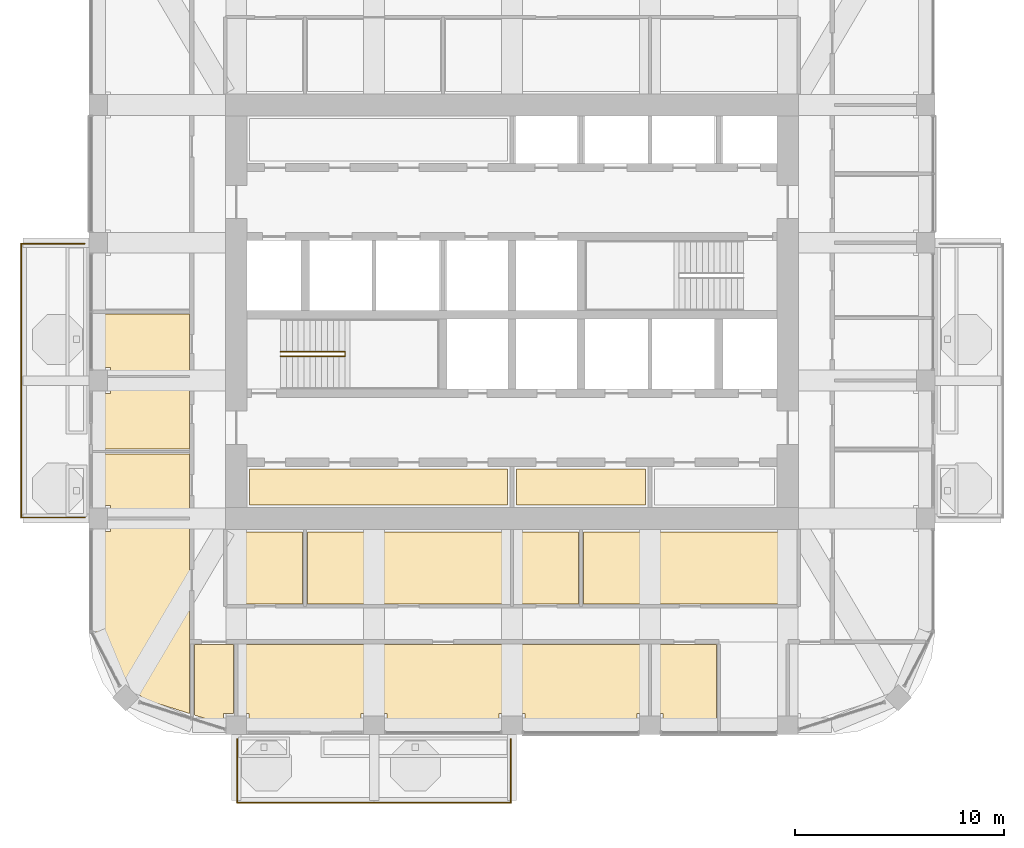
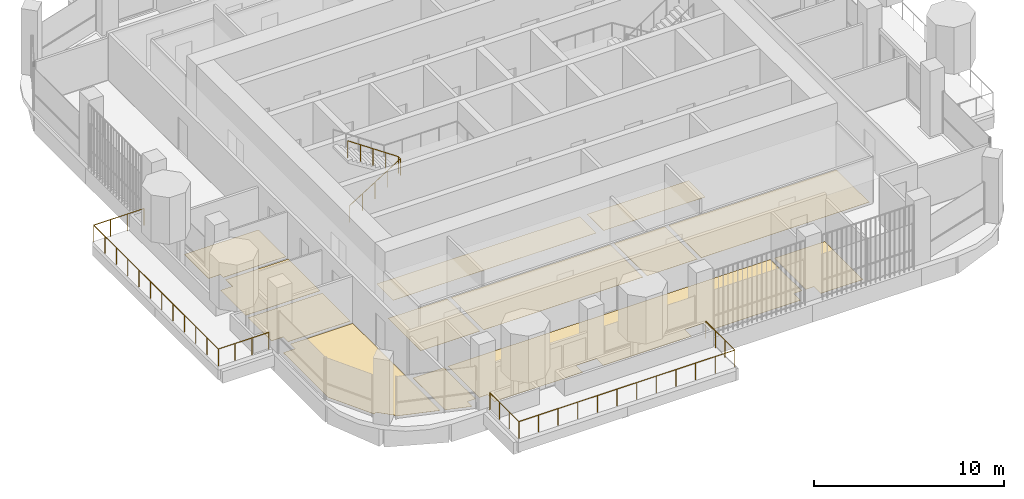
# One storey, part 16 of 20: 13 coverings, 3 railings.
"""IFC4 building model written with IfcOpenShell, lengths in metres."""

from ifc_helpers import new_model, si_unit, direction, frame, origin, place, context, subcontext, project, spatial, polyline, outline, extrude, material, layer, layer_set, type_object, element, save


model = new_model("IFC4")

# Units and contexts
model_context = context("Model", 3, precision=1e-05, world=origin(), true_north=direction((0.0, 1.0)))
body_context = subcontext(model_context, "Body", "Model", "MODEL_VIEW")
ifc_project = project(units=[si_unit("LENGTHUNIT", "METRE"), si_unit("AREAUNIT", "SQUARE_METRE"), si_unit("VOLUMEUNIT", "CUBIC_METRE"), si_unit("PLANEANGLEUNIT", "RADIAN"), si_unit("MASSUNIT", "GRAM", prefix="KILO")], contexts=[model_context])

# Site, building, storey
site_placement = place(None, origin())
site = spatial("IfcSite", under=ifc_project, at=site_placement, CompositionType="ELEMENT")
building_placement = place(site_placement, origin())
building = spatial("IfcBuilding", under=site, at=building_placement, Name="Cobogo Forest Laboratory Tower", CompositionType="ELEMENT")
storey_placement = place(building_placement, frame((0.0, 0.0, 279.60009765625)))
storey = spatial("IfcBuildingStorey", under=building, at=storey_placement, Name="L64", CompositionType="ELEMENT", Elevation=279.60009765625)

# Railings
ifc_material_1 = material(Name="Laminated glass balustrade", Category="glass")
railing_type_1 = type_object("IfcRailingType", Name="BG1 glass balustrade 1100", PredefinedType="GUARDRAIL", material=ifc_material_1)
railing_1_placement = place(storey_placement, frame((13.25, 2.64990234375, 0.0)))
element("IfcRailing", 1, at=railing_1_placement, inside=storey, type_object=railing_type_1, Name="Balcony balustrade BAL-S1 L64", PredefinedType="GUARDRAIL", context=body_context, shape_type="SweptSolid", body=[
    extrude(outline(polyline([(0.022216796875, 0.00927734375), (0.00927734375, 0.022216796875), (-0.00927734375, 0.022216796875), (-0.022216796875, 0.00927734375), (-0.022216796875, -0.00927734375), (-0.00927734375, -0.022216796875), (0.00927734375, -0.022216796875), (0.022216796875, -0.00927734375), (0.022216796875, 0.00927734375)])), frame((0.0, 0.0, 1.077880859375), z_axis=(0.0, -1.0, 0.0), x_axis=(1.0, 0.0, 0.0)), (0.0, 0.0, 1.0), 3.0498046875),
    extrude(outline(polyline([(0.022216796875, 0.00927734375), (0.00927734375, 0.022216796875), (-0.00927734375, 0.022216796875), (-0.022216796875, 0.00927734375), (-0.022216796875, -0.00927734375), (-0.00927734375, -0.022216796875), (0.00927734375, -0.022216796875), (0.022216796875, -0.00927734375), (0.022216796875, 0.00927734375)])), frame((0.0, -3.0498046875, 1.077880859375), z_axis=(1.0, 0.0, 0.0), x_axis=(0.0, 1.0, 0.0)), (0.0, 0.0, 1.0), 13.10009765625),
    extrude(outline(polyline([(0.022216796875, 0.00927734375), (0.00927734375, 0.022216796875), (-0.00927734375, 0.022216796875), (-0.022216796875, 0.00927734375), (-0.022216796875, -0.00927734375), (-0.00927734375, -0.022216796875), (0.00927734375, -0.022216796875), (0.022216796875, -0.00927734375), (0.022216796875, 0.00927734375)])), frame((13.10009765625, -3.0498046875, 1.077880859375), z_axis=(0.0, 1.0, 0.0), x_axis=(-1.0, 0.0, 0.0)), (0.0, 0.0, 1.0), 3.0498046875),
    extrude(outline(polyline([(0.019287109375, 0.008056640625), (0.008056640625, 0.019287109375), (-0.008056640625, 0.019287109375), (-0.019287109375, 0.008056640625), (-0.019287109375, -0.008056640625), (-0.008056640625, -0.019287109375), (0.008056640625, -0.019287109375), (0.019287109375, -0.008056640625), (0.019287109375, 0.008056640625)])), origin(), (0.0, 0.0, 1.0), 1.077880859375),
    extrude(outline(polyline([(0.019287109375, 0.008056640625), (0.008056640625, 0.019287109375), (-0.008056640625, 0.019287109375), (-0.019287109375, 0.008056640625), (-0.019287109375, -0.008056640625), (-0.008056640625, -0.019287109375), (0.008056640625, -0.019287109375), (0.019287109375, -0.008056640625), (0.019287109375, 0.008056640625)])), frame((0.0, -1.0166015625, 0.0)), (0.0, 0.0, 1.0), 1.077880859375),
    extrude(outline(polyline([(0.019287109375, 0.008056640625), (0.008056640625, 0.019287109375), (-0.008056640625, 0.019287109375), (-0.019287109375, 0.008056640625), (-0.019287109375, -0.008056640625), (-0.008056640625, -0.019287109375), (0.008056640625, -0.019287109375), (0.019287109375, -0.008056640625), (0.019287109375, 0.008056640625)])), frame((0.0, -2.033203125, 0.0)), (0.0, 0.0, 1.0), 1.077880859375),
    extrude(outline(polyline([(0.019287109375, 0.008056640625), (0.008056640625, 0.019287109375), (-0.008056640625, 0.019287109375), (-0.019287109375, 0.008056640625), (-0.019287109375, -0.008056640625), (-0.008056640625, -0.019287109375), (0.008056640625, -0.019287109375), (0.019287109375, -0.008056640625), (0.019287109375, 0.008056640625)])), frame((0.0, -3.0498046875, 0.0)), (0.0, 0.0, 1.0), 1.077880859375),
    extrude(outline(polyline([(0.019287109375, 0.008056640625), (0.008056640625, 0.019287109375), (-0.008056640625, 0.019287109375), (-0.019287109375, 0.008056640625), (-0.019287109375, -0.008056640625), (-0.008056640625, -0.019287109375), (0.008056640625, -0.019287109375), (0.019287109375, -0.008056640625), (0.019287109375, 0.008056640625)])), frame((1.19091796875, -3.0498046875, 0.0)), (0.0, 0.0, 1.0), 1.077880859375),
    extrude(outline(polyline([(0.019287109375, 0.008056640625), (0.008056640625, 0.019287109375), (-0.008056640625, 0.019287109375), (-0.019287109375, 0.008056640625), (-0.019287109375, -0.008056640625), (-0.008056640625, -0.019287109375), (0.008056640625, -0.019287109375), (0.019287109375, -0.008056640625), (0.019287109375, 0.008056640625)])), frame((2.3818359375, -3.0498046875, 0.0)), (0.0, 0.0, 1.0), 1.077880859375),
    extrude(outline(polyline([(0.019287109375, 0.008056640625), (0.008056640625, 0.019287109375), (-0.008056640625, 0.019287109375), (-0.019287109375, 0.008056640625), (-0.019287109375, -0.008056640625), (-0.008056640625, -0.019287109375), (0.008056640625, -0.019287109375), (0.019287109375, -0.008056640625), (0.019287109375, 0.008056640625)])), frame((3.57275390625, -3.0498046875, 0.0)), (0.0, 0.0, 1.0), 1.077880859375),
    extrude(outline(polyline([(0.019287109375, 0.008056640625), (0.008056640625, 0.019287109375), (-0.008056640625, 0.019287109375), (-0.019287109375, 0.008056640625), (-0.019287109375, -0.008056640625), (-0.008056640625, -0.019287109375), (0.008056640625, -0.019287109375), (0.019287109375, -0.008056640625), (0.019287109375, 0.008056640625)])), frame((4.763671875, -3.0498046875, 0.0)), (0.0, 0.0, 1.0), 1.077880859375),
    extrude(outline(polyline([(0.019287109375, 0.008056640625), (0.008056640625, 0.019287109375), (-0.008056640625, 0.019287109375), (-0.019287109375, 0.008056640625), (-0.019287109375, -0.008056640625), (-0.008056640625, -0.019287109375), (0.008056640625, -0.019287109375), (0.019287109375, -0.008056640625), (0.019287109375, 0.008056640625)])), frame((5.95458984375, -3.0498046875, 0.0)), (0.0, 0.0, 1.0), 1.077880859375),
    extrude(outline(polyline([(0.019287109375, 0.008056640625), (0.008056640625, 0.019287109375), (-0.008056640625, 0.019287109375), (-0.019287109375, 0.008056640625), (-0.019287109375, -0.008056640625), (-0.008056640625, -0.019287109375), (0.008056640625, -0.019287109375), (0.019287109375, -0.008056640625), (0.019287109375, 0.008056640625)])), frame((7.1455078125, -3.0498046875, 0.0)), (0.0, 0.0, 1.0), 1.077880859375),
    extrude(outline(polyline([(0.019287109375, 0.008056640625), (0.008056640625, 0.019287109375), (-0.008056640625, 0.019287109375), (-0.019287109375, 0.008056640625), (-0.019287109375, -0.008056640625), (-0.008056640625, -0.019287109375), (0.008056640625, -0.019287109375), (0.019287109375, -0.008056640625), (0.019287109375, 0.008056640625)])), frame((8.33642578125, -3.0498046875, 0.0)), (0.0, 0.0, 1.0), 1.077880859375),
    extrude(outline(polyline([(0.019287109375, 0.008056640625), (0.008056640625, 0.019287109375), (-0.008056640625, 0.019287109375), (-0.019287109375, 0.008056640625), (-0.019287109375, -0.008056640625), (-0.008056640625, -0.019287109375), (0.008056640625, -0.019287109375), (0.019287109375, -0.008056640625), (0.019287109375, 0.008056640625)])), frame((9.52734375, -3.0498046875, 0.0)), (0.0, 0.0, 1.0), 1.077880859375),
    extrude(outline(polyline([(0.019287109375, 0.008056640625), (0.008056640625, 0.019287109375), (-0.008056640625, 0.019287109375), (-0.019287109375, 0.008056640625), (-0.019287109375, -0.008056640625), (-0.008056640625, -0.019287109375), (0.008056640625, -0.019287109375), (0.019287109375, -0.008056640625), (0.019287109375, 0.008056640625)])), frame((10.71826171875, -3.0498046875, 0.0)), (0.0, 0.0, 1.0), 1.077880859375),
    extrude(outline(polyline([(0.019287109375, 0.008056640625), (0.008056640625, 0.019287109375), (-0.008056640625, 0.019287109375), (-0.019287109375, 0.008056640625), (-0.019287109375, -0.008056640625), (-0.008056640625, -0.019287109375), (0.008056640625, -0.019287109375), (0.019287109375, -0.008056640625), (0.019287109375, 0.008056640625)])), frame((11.9091796875, -3.0498046875, 0.0)), (0.0, 0.0, 1.0), 1.077880859375),
    extrude(outline(polyline([(0.019287109375, 0.008056640625), (0.008056640625, 0.019287109375), (-0.008056640625, 0.019287109375), (-0.019287109375, 0.008056640625), (-0.019287109375, -0.008056640625), (-0.008056640625, -0.019287109375), (0.008056640625, -0.019287109375), (0.019287109375, -0.008056640625), (0.019287109375, 0.008056640625)])), frame((13.10009765625, -3.0498046875, 0.0)), (0.0, 0.0, 1.0), 1.077880859375),
    extrude(outline(polyline([(0.019287109375, 0.008056640625), (0.008056640625, 0.019287109375), (-0.008056640625, 0.019287109375), (-0.019287109375, 0.008056640625), (-0.019287109375, -0.008056640625), (-0.008056640625, -0.019287109375), (0.008056640625, -0.019287109375), (0.019287109375, -0.008056640625), (0.019287109375, 0.008056640625)])), frame((13.10009765625, -2.033203125, 0.0)), (0.0, 0.0, 1.0), 1.077880859375),
    extrude(outline(polyline([(0.019287109375, 0.008056640625), (0.008056640625, 0.019287109375), (-0.008056640625, 0.019287109375), (-0.019287109375, 0.008056640625), (-0.019287109375, -0.008056640625), (-0.008056640625, -0.019287109375), (0.008056640625, -0.019287109375), (0.019287109375, -0.008056640625), (0.019287109375, 0.008056640625)])), frame((13.10009765625, -1.0166015625, 0.0)), (0.0, 0.0, 1.0), 1.077880859375),
    extrude(outline(polyline([(0.019287109375, 0.008056640625), (0.008056640625, 0.019287109375), (-0.008056640625, 0.019287109375), (-0.019287109375, 0.008056640625), (-0.019287109375, -0.008056640625), (-0.008056640625, -0.019287109375), (0.008056640625, -0.019287109375), (0.019287109375, -0.008056640625), (0.019287109375, 0.008056640625)])), frame((13.10009765625, 0.0, 0.0)), (0.0, 0.0, 1.0), 1.077880859375),
])
railing_2_placement = place(storey_placement, frame((5.949951171875, 13.25, 0.0)))
element("IfcRailing", 2, at=railing_2_placement, inside=storey, type_object=railing_type_1, Name="Balcony balustrade BAL-W1 L64", PredefinedType="GUARDRAIL", context=body_context, shape_type="SweptSolid", body=[
    extrude(outline(polyline([(0.022216796875, 0.00927734375), (0.00927734375, 0.022216796875), (-0.00927734375, 0.022216796875), (-0.022216796875, 0.00927734375), (-0.022216796875, -0.00927734375), (-0.00927734375, -0.022216796875), (0.00927734375, -0.022216796875), (0.022216796875, -0.00927734375), (0.022216796875, 0.00927734375)])), frame((0.0, 0.0, 1.077880859375), z_axis=(-1.0, 0.0, 0.0), x_axis=(0.0, -1.0, 0.0)), (0.0, 0.0, 1.0), 3.050048828125),
    extrude(outline(polyline([(0.022216796875, 0.00927734375), (0.00927734375, 0.022216796875), (-0.00927734375, 0.022216796875), (-0.022216796875, 0.00927734375), (-0.022216796875, -0.00927734375), (-0.00927734375, -0.022216796875), (0.00927734375, -0.022216796875), (0.022216796875, -0.00927734375), (0.022216796875, 0.00927734375)])), frame((-3.050048828125, 0.0, 1.077880859375), z_axis=(0.0, 1.0, 0.0), x_axis=(-1.0, 0.0, 0.0)), (0.0, 0.0, 1.0), 13.10009765625),
    extrude(outline(polyline([(0.022216796875, 0.00927734375), (0.00927734375, 0.022216796875), (-0.00927734375, 0.022216796875), (-0.022216796875, 0.00927734375), (-0.022216796875, -0.00927734375), (-0.00927734375, -0.022216796875), (0.00927734375, -0.022216796875), (0.022216796875, -0.00927734375), (0.022216796875, 0.00927734375)])), frame((-3.050048828125, 13.10009765625, 1.077880859375), z_axis=(1.0, 0.0, 0.0), x_axis=(0.0, 1.0, 0.0)), (0.0, 0.0, 1.0), 3.050048828125),
    extrude(outline(polyline([(0.019287109375, 0.008056640625), (0.008056640625, 0.019287109375), (-0.008056640625, 0.019287109375), (-0.019287109375, 0.008056640625), (-0.019287109375, -0.008056640625), (-0.008056640625, -0.019287109375), (0.008056640625, -0.019287109375), (0.019287109375, -0.008056640625), (0.019287109375, 0.008056640625)])), origin(), (0.0, 0.0, 1.0), 1.077880859375),
    extrude(outline(polyline([(0.019287109375, 0.008056640625), (0.008056640625, 0.019287109375), (-0.008056640625, 0.019287109375), (-0.019287109375, 0.008056640625), (-0.019287109375, -0.008056640625), (-0.008056640625, -0.019287109375), (0.008056640625, -0.019287109375), (0.019287109375, -0.008056640625), (0.019287109375, 0.008056640625)])), frame((-1.0166015625, 0.0, 0.0)), (0.0, 0.0, 1.0), 1.077880859375),
    extrude(outline(polyline([(0.019287109375, 0.008056640625), (0.008056640625, 0.019287109375), (-0.008056640625, 0.019287109375), (-0.019287109375, 0.008056640625), (-0.019287109375, -0.008056640625), (-0.008056640625, -0.019287109375), (0.008056640625, -0.019287109375), (0.019287109375, -0.008056640625), (0.019287109375, 0.008056640625)])), frame((-2.033447265625, 0.0, 0.0)), (0.0, 0.0, 1.0), 1.077880859375),
    extrude(outline(polyline([(0.019287109375, 0.008056640625), (0.008056640625, 0.019287109375), (-0.008056640625, 0.019287109375), (-0.019287109375, 0.008056640625), (-0.019287109375, -0.008056640625), (-0.008056640625, -0.019287109375), (0.008056640625, -0.019287109375), (0.019287109375, -0.008056640625), (0.019287109375, 0.008056640625)])), frame((-3.050048828125, 0.0, 0.0)), (0.0, 0.0, 1.0), 1.077880859375),
    extrude(outline(polyline([(0.019287109375, 0.008056640625), (0.008056640625, 0.019287109375), (-0.008056640625, 0.019287109375), (-0.019287109375, 0.008056640625), (-0.019287109375, -0.008056640625), (-0.008056640625, -0.019287109375), (0.008056640625, -0.019287109375), (0.019287109375, -0.008056640625), (0.019287109375, 0.008056640625)])), frame((-3.050048828125, 1.19091796875, 0.0)), (0.0, 0.0, 1.0), 1.077880859375),
    extrude(outline(polyline([(0.019287109375, 0.008056640625), (0.008056640625, 0.019287109375), (-0.008056640625, 0.019287109375), (-0.019287109375, 0.008056640625), (-0.019287109375, -0.008056640625), (-0.008056640625, -0.019287109375), (0.008056640625, -0.019287109375), (0.019287109375, -0.008056640625), (0.019287109375, 0.008056640625)])), frame((-3.050048828125, 2.3818359375, 0.0)), (0.0, 0.0, 1.0), 1.077880859375),
    extrude(outline(polyline([(0.019287109375, 0.008056640625), (0.008056640625, 0.019287109375), (-0.008056640625, 0.019287109375), (-0.019287109375, 0.008056640625), (-0.019287109375, -0.008056640625), (-0.008056640625, -0.019287109375), (0.008056640625, -0.019287109375), (0.019287109375, -0.008056640625), (0.019287109375, 0.008056640625)])), frame((-3.050048828125, 3.57275390625, 0.0)), (0.0, 0.0, 1.0), 1.077880859375),
    extrude(outline(polyline([(0.019287109375, 0.008056640625), (0.008056640625, 0.019287109375), (-0.008056640625, 0.019287109375), (-0.019287109375, 0.008056640625), (-0.019287109375, -0.008056640625), (-0.008056640625, -0.019287109375), (0.008056640625, -0.019287109375), (0.019287109375, -0.008056640625), (0.019287109375, 0.008056640625)])), frame((-3.050048828125, 4.763671875, 0.0)), (0.0, 0.0, 1.0), 1.077880859375),
    extrude(outline(polyline([(0.019287109375, 0.008056640625), (0.008056640625, 0.019287109375), (-0.008056640625, 0.019287109375), (-0.019287109375, 0.008056640625), (-0.019287109375, -0.008056640625), (-0.008056640625, -0.019287109375), (0.008056640625, -0.019287109375), (0.019287109375, -0.008056640625), (0.019287109375, 0.008056640625)])), frame((-3.050048828125, 5.95458984375, 0.0)), (0.0, 0.0, 1.0), 1.077880859375),
    extrude(outline(polyline([(0.019287109375, 0.008056640625), (0.008056640625, 0.019287109375), (-0.008056640625, 0.019287109375), (-0.019287109375, 0.008056640625), (-0.019287109375, -0.008056640625), (-0.008056640625, -0.019287109375), (0.008056640625, -0.019287109375), (0.019287109375, -0.008056640625), (0.019287109375, 0.008056640625)])), frame((-3.050048828125, 7.1455078125, 0.0)), (0.0, 0.0, 1.0), 1.077880859375),
    extrude(outline(polyline([(0.019287109375, 0.008056640625), (0.008056640625, 0.019287109375), (-0.008056640625, 0.019287109375), (-0.019287109375, 0.008056640625), (-0.019287109375, -0.008056640625), (-0.008056640625, -0.019287109375), (0.008056640625, -0.019287109375), (0.019287109375, -0.008056640625), (0.019287109375, 0.008056640625)])), frame((-3.050048828125, 8.33642578125, 0.0)), (0.0, 0.0, 1.0), 1.077880859375),
    extrude(outline(polyline([(0.019287109375, 0.008056640625), (0.008056640625, 0.019287109375), (-0.008056640625, 0.019287109375), (-0.019287109375, 0.008056640625), (-0.019287109375, -0.008056640625), (-0.008056640625, -0.019287109375), (0.008056640625, -0.019287109375), (0.019287109375, -0.008056640625), (0.019287109375, 0.008056640625)])), frame((-3.050048828125, 9.52734375, 0.0)), (0.0, 0.0, 1.0), 1.077880859375),
    extrude(outline(polyline([(0.019287109375, 0.008056640625), (0.008056640625, 0.019287109375), (-0.008056640625, 0.019287109375), (-0.019287109375, 0.008056640625), (-0.019287109375, -0.008056640625), (-0.008056640625, -0.019287109375), (0.008056640625, -0.019287109375), (0.019287109375, -0.008056640625), (0.019287109375, 0.008056640625)])), frame((-3.050048828125, 10.71826171875, 0.0)), (0.0, 0.0, 1.0), 1.077880859375),
    extrude(outline(polyline([(0.019287109375, 0.008056640625), (0.008056640625, 0.019287109375), (-0.008056640625, 0.019287109375), (-0.019287109375, 0.008056640625), (-0.019287109375, -0.008056640625), (-0.008056640625, -0.019287109375), (0.008056640625, -0.019287109375), (0.019287109375, -0.008056640625), (0.019287109375, 0.008056640625)])), frame((-3.050048828125, 11.9091796875, 0.0)), (0.0, 0.0, 1.0), 1.077880859375),
    extrude(outline(polyline([(0.019287109375, 0.008056640625), (0.008056640625, 0.019287109375), (-0.008056640625, 0.019287109375), (-0.019287109375, 0.008056640625), (-0.019287109375, -0.008056640625), (-0.008056640625, -0.019287109375), (0.008056640625, -0.019287109375), (0.019287109375, -0.008056640625), (0.019287109375, 0.008056640625)])), frame((-3.050048828125, 13.10009765625, 0.0)), (0.0, 0.0, 1.0), 1.077880859375),
    extrude(outline(polyline([(0.019287109375, 0.008056640625), (0.008056640625, 0.019287109375), (-0.008056640625, 0.019287109375), (-0.019287109375, 0.008056640625), (-0.019287109375, -0.008056640625), (-0.008056640625, -0.019287109375), (0.008056640625, -0.019287109375), (0.019287109375, -0.008056640625), (0.019287109375, 0.008056640625)])), frame((-2.033447265625, 13.10009765625, 0.0)), (0.0, 0.0, 1.0), 1.077880859375),
    extrude(outline(polyline([(0.019287109375, 0.008056640625), (0.008056640625, 0.019287109375), (-0.008056640625, 0.019287109375), (-0.019287109375, 0.008056640625), (-0.019287109375, -0.008056640625), (-0.008056640625, -0.019287109375), (0.008056640625, -0.019287109375), (0.019287109375, -0.008056640625), (0.019287109375, 0.008056640625)])), frame((-1.0166015625, 13.10009765625, 0.0)), (0.0, 0.0, 1.0), 1.077880859375),
    extrude(outline(polyline([(0.019287109375, 0.008056640625), (0.008056640625, 0.019287109375), (-0.008056640625, 0.019287109375), (-0.019287109375, 0.008056640625), (-0.019287109375, -0.008056640625), (-0.008056640625, -0.019287109375), (0.008056640625, -0.019287109375), (0.019287109375, -0.008056640625), (0.019287109375, 0.008056640625)])), frame((0.0, 13.10009765625, 0.0)), (0.0, 0.0, 1.0), 1.077880859375),
])

# Coverings
ifc_material_2 = material(Name="Carpet tile on raised access floor", Category="flooring")
ifc_layer_1 = layer(ifc_material_2, 0.008056640625)
ifc_layer_set_1 = layer_set([ifc_layer_1], Name="CT1 carpet tile floor 8")
covering_type_1 = type_object("IfcCoveringType", Name="CT1 carpet tile floor 8", PredefinedType="FLOORING", material=ifc_layer_set_1)
covering_1_placement = place(storey_placement, origin())
element("IfcCovering", 3, at=covering_1_placement, inside=storey, type_object=covering_type_1, Name="Carpet floor L64-05", PredefinedType="FLOORING", context=body_context, shape_type="SweptSolid", body=[
    extrude(outline(polyline([(16.3798828125, 9.1201171875), (12.794921875, 9.1201171875), (12.794921875, 12.554931640625), (16.3798828125, 12.554931640625), (16.3798828125, 9.1201171875)])), origin(), (0.0, 0.0, 1.0), 0.0078125),
])
covering_2_placement = place(storey_placement, origin())
element("IfcCovering", 4, at=covering_2_placement, inside=storey, type_object=covering_type_1, Name="Carpet floor L64-06", PredefinedType="FLOORING", context=body_context, shape_type="SweptSolid", body=[
    extrude(outline(polyline([(26.280029296875, 9.1201171875), (16.6201171875, 9.1201171875), (16.6201171875, 12.554931640625), (26.280029296875, 12.554931640625), (26.280029296875, 9.1201171875)])), origin(), (0.0, 0.0, 1.0), 0.0078125),
])
covering_3_placement = place(storey_placement, origin())
element("IfcCovering", 5, at=covering_3_placement, inside=storey, type_object=covering_type_1, Name="Carpet floor L64-07", PredefinedType="FLOORING", context=body_context, shape_type="SweptSolid", body=[
    extrude(outline(polyline([(29.580078125, 9.1201171875), (26.52001953125, 9.1201171875), (26.52001953125, 12.554931640625), (29.580078125, 12.554931640625), (29.580078125, 9.1201171875)])), origin(), (0.0, 0.0, 1.0), 0.0078125),
])
covering_4_placement = place(storey_placement, origin())
element("IfcCovering", 6, at=covering_4_placement, inside=storey, type_object=covering_type_1, Name="Carpet floor L64-08", PredefinedType="FLOORING", context=body_context, shape_type="SweptSolid", body=[
    extrude(outline(polyline([(40.0048828125, 9.1201171875), (29.820068359375, 9.1201171875), (29.820068359375, 12.554931640625), (40.0048828125, 12.554931640625), (40.0048828125, 9.1201171875)])), origin(), (0.0, 0.0, 1.0), 0.0078125),
])
covering_5_placement = place(storey_placement, origin())
element("IfcCovering", 7, at=covering_5_placement, inside=storey, type_object=covering_type_1, Name="Carpet floor L64-10", PredefinedType="FLOORING", context=body_context, shape_type="SweptSolid", body=[
    extrude(outline(polyline([(32.8798828125, 7.179931640625), (32.8798828125, 3.8701171875), (32.3798828125, 3.8701171875), (32.3798828125, 3.14990234375), (27.02001953125, 3.14990234375), (27.02001953125, 3.8701171875), (25.780029296875, 3.8701171875), (25.780029296875, 3.14990234375), (20.419921875, 3.14990234375), (20.419921875, 3.8701171875), (19.179931640625, 3.8701171875), (19.179931640625, 3.14990234375), (13.820068359375, 3.14990234375), (13.820068359375, 3.8701171875), (13.320068359375, 3.8701171875), (13.320068359375, 7.179931640625), (32.8798828125, 7.179931640625)])), origin(), (0.0, 0.0, 1.0), 0.0078125),
])
covering_6_placement = place(storey_placement, origin())
element("IfcCovering", 8, at=covering_6_placement, inside=storey, type_object=covering_type_1, Name="Carpet floor L64-11", PredefinedType="FLOORING", context=body_context, shape_type="SweptSolid", body=[
    extrude(outline(polyline([(36.179931640625, 7.179931640625), (36.179931640625, 3.14990234375), (33.6201171875, 3.14990234375), (33.6201171875, 3.8701171875), (33.1201171875, 3.8701171875), (33.1201171875, 7.179931640625), (36.179931640625, 7.179931640625)])), origin(), (0.0, 0.0, 1.0), 0.0078125),
])
covering_7_placement = place(storey_placement, origin())
element("IfcCovering", 9, at=covering_7_placement, inside=storey, type_object=covering_type_1, Name="Carpet floor L64-25", PredefinedType="FLOORING", context=body_context, shape_type="SweptSolid", body=[
    extrude(outline(polyline([(8.68994140625, 4.583984375), (8.72412109375, 4.617919921875), (7.91796875, 5.424072265625), (7.788818359375, 5.294921875), (6.449951171875, 7.84912109375), (6.449951171875, 12.580078125), (7.169921875, 12.580078125), (7.169921875, 13.080078125), (10.955078125, 13.080078125), (10.955078125, 3.86865234375), (8.68994140625, 4.583984375)])), origin(), (0.0, 0.0, 1.0), 0.0078125),
])
covering_8_placement = place(storey_placement, origin())
element("IfcCovering", 10, at=covering_8_placement, inside=storey, type_object=covering_type_1, Name="Carpet floor L64-37", PredefinedType="FLOORING", context=body_context, shape_type="SweptSolid", body=[
    extrude(outline(polyline([(26.179931640625, 13.844970703125), (13.844970703125, 13.844970703125), (13.844970703125, 15.580078125), (26.179931640625, 15.580078125), (26.179931640625, 13.844970703125)])), origin(), (0.0, 0.0, 1.0), 0.0078125),
])
covering_9_placement = place(storey_placement, origin())
element("IfcCovering", 11, at=covering_9_placement, inside=storey, type_object=covering_type_1, Name="Carpet floor L64-38", PredefinedType="FLOORING", context=body_context, shape_type="SweptSolid", body=[
    extrude(outline(polyline([(32.780029296875, 13.844970703125), (26.6201171875, 13.844970703125), (26.6201171875, 15.580078125), (32.780029296875, 15.580078125), (32.780029296875, 13.844970703125)])), origin(), (0.0, 0.0, 1.0), 0.0078125),
])

# Railing
ifc_material_3 = material(Name="Steel balustrade", Category="steel")
railing_type_2 = type_object("IfcRailingType", Name="GR stair guard 1100", PredefinedType="GUARDRAIL", material=ifc_material_3)
railing_3_placement = place(storey_placement, frame((15.324951171875, 20.969970703125, 0.1748046875)))
element("IfcRailing", 12, at=railing_3_placement, inside=storey, type_object=railing_type_2, Name="Stair guard ST1 L64", PredefinedType="GUARDRAIL", context=body_context, shape_type="SweptSolid", body=[
    extrude(outline(polyline([(0.022216796875, 0.00927734375), (0.00927734375, 0.022216796875), (-0.00927734375, 0.022216796875), (-0.022216796875, 0.00927734375), (-0.022216796875, -0.00927734375), (-0.00927734375, -0.022216796875), (0.00927734375, -0.022216796875), (0.022216796875, -0.00927734375), (0.022216796875, 0.00927734375)])), frame((0.0, 0.0, 1.077880859375), z_axis=(0.847998304005, 0.0, 0.529998940003), x_axis=(0.0, 1.0, 0.0)), (0.0, 0.0, 1.0), 3.632080078125),
    extrude(outline(polyline([(0.022216796875, 0.00927734375), (0.00927734375, 0.022216796875), (-0.00927734375, 0.022216796875), (-0.022216796875, 0.00927734375), (-0.022216796875, -0.00927734375), (-0.00927734375, -0.022216796875), (0.00927734375, -0.022216796875), (0.022216796875, -0.00927734375), (0.022216796875, 0.00927734375)])), frame((3.080078125, 0.0, 3.0029296875), z_axis=(0.0, 1.0, 0.0), x_axis=(-1.0, 0.0, 0.0)), (0.0, 0.0, 1.0), 0.2099609375),
    extrude(outline(polyline([(0.022216796875, 0.00927734375), (0.00927734375, 0.022216796875), (-0.00927734375, 0.022216796875), (-0.022216796875, 0.00927734375), (-0.022216796875, -0.00927734375), (-0.00927734375, -0.022216796875), (0.00927734375, -0.022216796875), (0.022216796875, -0.00927734375), (0.022216796875, 0.00927734375)])), frame((3.080078125, 0.2099609375, 3.0029296875), z_axis=(-0.826221800596, 0.0, 0.563344953133), x_axis=(0.0, -1.0, 0.0)), (0.0, 0.0, 1.0), 3.72802734375),
    extrude(outline(polyline([(0.019287109375, 0.008056640625), (0.008056640625, 0.019287109375), (-0.008056640625, 0.019287109375), (-0.019287109375, 0.008056640625), (-0.019287109375, -0.008056640625), (-0.008056640625, -0.019287109375), (0.008056640625, -0.019287109375), (0.019287109375, -0.008056640625), (0.019287109375, 0.008056640625)])), origin(), (0.0, 0.0, 1.0), 1.077880859375),
    extrude(outline(polyline([(0.019287109375, 0.008056640625), (0.008056640625, 0.019287109375), (-0.008056640625, 0.019287109375), (-0.019287109375, 0.008056640625), (-0.019287109375, -0.008056640625), (-0.008056640625, -0.019287109375), (0.008056640625, -0.019287109375), (0.019287109375, -0.008056640625), (0.019287109375, 0.008056640625)])), frame((0.77001953125, 0.0, 0.481201171875)), (0.0, 0.0, 1.0), 1.077880859375),
    extrude(outline(polyline([(0.019287109375, 0.008056640625), (0.008056640625, 0.019287109375), (-0.008056640625, 0.019287109375), (-0.019287109375, 0.008056640625), (-0.019287109375, -0.008056640625), (-0.008056640625, -0.019287109375), (0.008056640625, -0.019287109375), (0.019287109375, -0.008056640625), (0.019287109375, 0.008056640625)])), frame((1.5400390625, 0.0, 0.96240234375)), (0.0, 0.0, 1.0), 1.077880859375),
    extrude(outline(polyline([(0.019287109375, 0.008056640625), (0.008056640625, 0.019287109375), (-0.008056640625, 0.019287109375), (-0.019287109375, 0.008056640625), (-0.019287109375, -0.008056640625), (-0.008056640625, -0.019287109375), (0.008056640625, -0.019287109375), (0.019287109375, -0.008056640625), (0.019287109375, 0.008056640625)])), frame((2.31005859375, 0.0, 1.44384765625)), (0.0, 0.0, 1.0), 1.077880859375),
    extrude(outline(polyline([(0.019287109375, 0.008056640625), (0.008056640625, 0.019287109375), (-0.008056640625, 0.019287109375), (-0.019287109375, 0.008056640625), (-0.019287109375, -0.008056640625), (-0.008056640625, -0.019287109375), (0.008056640625, -0.019287109375), (0.019287109375, -0.008056640625), (0.019287109375, 0.008056640625)])), frame((3.080078125, 0.0, 1.925048828125)), (0.0, 0.0, 1.0), 1.077880859375),
    extrude(outline(polyline([(0.019287109375, 0.008056640625), (0.008056640625, 0.019287109375), (-0.008056640625, 0.019287109375), (-0.019287109375, 0.008056640625), (-0.019287109375, -0.008056640625), (-0.008056640625, -0.019287109375), (0.008056640625, -0.019287109375), (0.019287109375, -0.008056640625), (0.019287109375, 0.008056640625)])), frame((3.080078125, 0.2099609375, 1.925048828125)), (0.0, 0.0, 1.0), 1.077880859375),
    extrude(outline(polyline([(0.019287109375, 0.008056640625), (0.008056640625, 0.019287109375), (-0.008056640625, 0.019287109375), (-0.019287109375, 0.008056640625), (-0.019287109375, -0.008056640625), (-0.008056640625, -0.019287109375), (0.008056640625, -0.019287109375), (0.019287109375, -0.008056640625), (0.019287109375, 0.008056640625)])), frame((2.31005859375, 0.2099609375, 2.4501953125)), (0.0, 0.0, 1.0), 1.077880859375),
    extrude(outline(polyline([(0.019287109375, 0.008056640625), (0.008056640625, 0.019287109375), (-0.008056640625, 0.019287109375), (-0.019287109375, 0.008056640625), (-0.019287109375, -0.008056640625), (-0.008056640625, -0.019287109375), (0.008056640625, -0.019287109375), (0.019287109375, -0.008056640625), (0.019287109375, 0.008056640625)])), frame((1.5400390625, 0.2099609375, 2.97509765625)), (0.0, 0.0, 1.0), 1.077880859375),
    extrude(outline(polyline([(0.019287109375, 0.008056640625), (0.008056640625, 0.019287109375), (-0.008056640625, 0.019287109375), (-0.019287109375, 0.008056640625), (-0.019287109375, -0.008056640625), (-0.008056640625, -0.019287109375), (0.008056640625, -0.019287109375), (0.019287109375, -0.008056640625), (0.019287109375, 0.008056640625)])), frame((0.77001953125, 0.2099609375, 3.5)), (0.0, 0.0, 1.0), 1.077880859375),
    extrude(outline(polyline([(0.019287109375, 0.008056640625), (0.008056640625, 0.019287109375), (-0.008056640625, 0.019287109375), (-0.019287109375, 0.008056640625), (-0.019287109375, -0.008056640625), (-0.008056640625, -0.019287109375), (0.008056640625, -0.019287109375), (0.019287109375, -0.008056640625), (0.019287109375, 0.008056640625)])), frame((0.0, 0.2099609375, 4.025146484375)), (0.0, 0.0, 1.0), 1.077880859375),
])

# Coverings
ifc_material_4 = material(Name="Epoxy resin flooring", Category="flooring")
ifc_layer_2 = layer(ifc_material_4, 0.00390625)
ifc_layer_set_2 = layer_set([ifc_layer_2], Name="LF1 epoxy laboratory floor 4")
covering_type_2 = type_object("IfcCoveringType", Name="LF1 epoxy laboratory floor 4", PredefinedType="FLOORING", material=ifc_layer_set_2)
covering_10_placement = place(storey_placement, origin())
element("IfcCovering", 13, at=covering_10_placement, inside=storey, type_object=covering_type_2, Name="Epoxy laboratory floor L64-09", PredefinedType="FLOORING", context=body_context, shape_type="SweptSolid", body=[
    extrude(outline(polyline([(13.080078125, 7.179931640625), (13.080078125, 3.8701171875), (12.580078125, 3.8701171875), (12.580078125, 3.35546875), (11.195068359375, 3.79296875), (11.195068359375, 7.179931640625), (13.080078125, 7.179931640625)])), origin(), (0.0, 0.0, 1.0), 0.00390625),
])
ifc_material_5 = material(Name="Ceramic floor tile", Category="flooring")
ifc_layer_3 = layer(ifc_material_5, 0.010009765625)
ifc_layer_set_3 = layer_set([ifc_layer_3], Name="TF1 ceramic tile floor 10")
covering_type_3 = type_object("IfcCoveringType", Name="TF1 ceramic tile floor 10", PredefinedType="FLOORING", material=ifc_layer_set_3)
covering_11_placement = place(storey_placement, origin())
element("IfcCovering", 14, at=covering_11_placement, inside=storey, type_object=covering_type_3, Name="Tile floor L64-26", PredefinedType="FLOORING", context=body_context, shape_type="SweptSolid", body=[
    extrude(outline(polyline([(10.955078125, 13.320068359375), (7.169921875, 13.320068359375), (7.169921875, 13.820068359375), (6.449951171875, 13.820068359375), (6.449951171875, 16.280029296875), (10.955078125, 16.280029296875), (10.955078125, 13.320068359375)])), origin(), (0.0, 0.0, 1.0), 0.010009765625),
])
covering_12_placement = place(storey_placement, origin())
element("IfcCovering", 15, at=covering_12_placement, inside=storey, type_object=covering_type_3, Name="Tile floor L64-27", PredefinedType="FLOORING", context=body_context, shape_type="SweptSolid", body=[
    extrude(outline(polyline([(10.955078125, 16.52001953125), (6.449951171875, 16.52001953125), (6.449951171875, 19.179931640625), (7.169921875, 19.179931640625), (7.169921875, 19.8798828125), (10.955078125, 19.8798828125), (10.955078125, 16.52001953125)])), origin(), (0.0, 0.0, 1.0), 0.010009765625),
])
covering_13_placement = place(storey_placement, origin())
element("IfcCovering", 16, at=covering_13_placement, inside=storey, type_object=covering_type_3, Name="Tile floor L64-28", PredefinedType="FLOORING", context=body_context, shape_type="SweptSolid", body=[
    extrude(outline(polyline([(10.955078125, 20.1201171875), (7.169921875, 20.1201171875), (7.169921875, 20.419921875), (6.449951171875, 20.419921875), (6.449951171875, 22.97998046875), (10.955078125, 22.97998046875), (10.955078125, 20.1201171875)])), origin(), (0.0, 0.0, 1.0), 0.010009765625),
])

save(model, "model.ifc")
